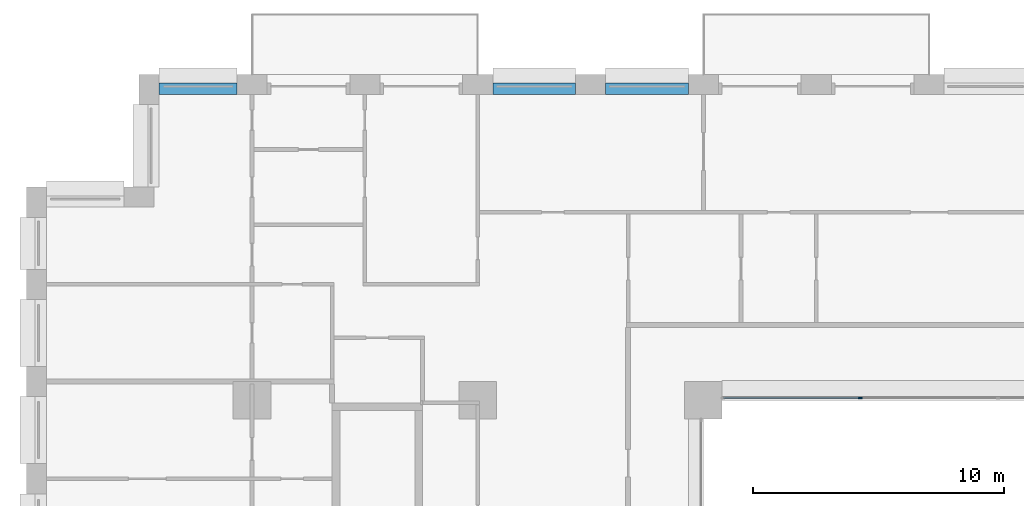
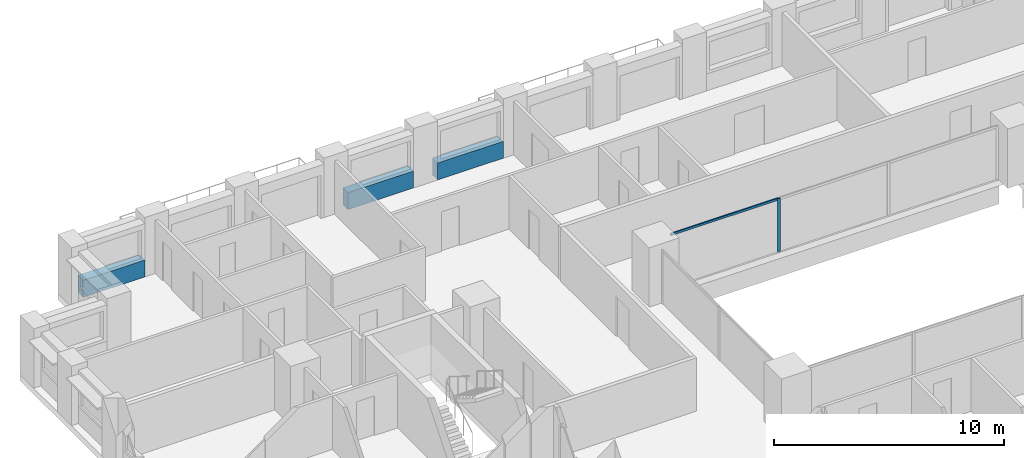
# One storey, part 6 of 20: 3 beams, 2 members, 1 element without a shape of its own.
"""IFC4 building model written with IfcOpenShell, lengths in metres."""

from ifc_helpers import new_model, si_unit, direction, frame, origin, origin_2d, place, context, subcontext, project, spatial, rectangle, extrude, material, layer, layer_set, material_profile, profile_set, type_object, element, aggregate, save


model = new_model("IFC4")

# Units and contexts
model_context = context("Model", 3, precision=1e-05, world=origin(), true_north=direction((0.0, 1.0)))
body_context = subcontext(model_context, "Body", "Model", "MODEL_VIEW")
ifc_project = project(units=[si_unit("LENGTHUNIT", "METRE"), si_unit("AREAUNIT", "SQUARE_METRE"), si_unit("VOLUMEUNIT", "CUBIC_METRE"), si_unit("PLANEANGLEUNIT", "RADIAN"), si_unit("MASSUNIT", "GRAM", prefix="KILO")], contexts=[model_context])

# Site, building, storey
site_placement = place(None, origin())
site = spatial("IfcSite", under=ifc_project, at=site_placement, CompositionType="ELEMENT")
building_placement = place(site_placement, origin())
building = spatial("IfcBuilding", under=site, at=building_placement, Name="Brigalow Station Residences", CompositionType="ELEMENT")
storey_placement = place(building_placement, frame((0.0, 0.0, 60.449951171875)))
storey = spatial("IfcBuildingStorey", under=building, at=storey_placement, Name="L17", CompositionType="ELEMENT", Elevation=60.449951171875)

# Curtain wall, members
ifc_material_1 = material(Name="Aluminium", Category="aluminium")
ifc_layer = layer(ifc_material_1, 0.14990234375)
ifc_layer_set = layer_set([ifc_layer], Name="ATRIUM FIRE-RATED GLAZING CURTAIN WALL")
curtain_wall_type = type_object("IfcCurtainWallType", Name="ATRIUM FIRE-RATED GLAZING CURTAIN WALL", PredefinedType="NOTDEFINED", material=ifc_layer_set)
curtain_wall_placement = place(storey_placement, origin())
curtain_wall = element("IfcCurtainWall", 1, at=curtain_wall_placement, inside=storey, type_object=curtain_wall_type, Name="L17/cw/atrium-N", PredefinedType="NOTDEFINED")
ifc_material_2 = material(Name="Aluminium", Category="aluminium")
ifc_material_profile_1 = material_profile(ifc_material_2, rectangle(XDim=0.06005859375, YDim=0.14990234375, at=origin_2d()), Name="ATRIUM FIRE-RATED GLAZING MULLION 60x150")
ifc_profile_set_1 = profile_set([ifc_material_profile_1], Name="Aluminium")
member_type_1 = type_object("IfcMemberType", Name="ATRIUM FIRE-RATED GLAZING MULLION 60x150", PredefinedType="MULLION", material=ifc_profile_set_1)
member_1_placement = place(storey_placement, frame((33.25, 35.60009765625, 0.0), z_axis=(0.0, 0.0, 1.0), x_axis=(0.0, -1.0, 0.0)))
member_1 = element("IfcMember", 2, at=member_1_placement, type_object=member_type_1, Name="L17/cw/atrium-N/M02", PredefinedType="MULLION", context=body_context, shape_type="SweptSolid", body=[
    extrude(rectangle(XDim=0.06005859375, YDim=0.14990234375, at=origin_2d()), origin(), (0.0, 0.0, 1.0), 2.830078125),
])
ifc_material_3 = material(Name="Aluminium", Category="aluminium")
ifc_material_profile_2 = material_profile(ifc_material_3, rectangle(XDim=0.06005859375, YDim=0.1201171875, at=origin_2d()), Name="ATRIUM FIRE-RATED GLAZING TRANSOM 60x120")
ifc_profile_set_2 = profile_set([ifc_material_profile_2], Name="Aluminium")
member_type_2 = type_object("IfcMemberType", Name="ATRIUM FIRE-RATED GLAZING TRANSOM 60x120", PredefinedType="USERDEFINED", material=ifc_profile_set_2)
member_2_placement = place(storey_placement, frame((33.219970703125, 35.60009765625, 2.800048828125), z_axis=(-1.0, 0.0, 0.0), x_axis=(0.0, -1.0, 0.0)))
member_2 = element("IfcMember", 3, at=member_2_placement, type_object=member_type_2, Name="L17/cw/atrium-N/T02-00", ObjectType="TRANSOM", PredefinedType="USERDEFINED", context=body_context, shape_type="SweptSolid", body=[
    extrude(rectangle(XDim=0.06005859375, YDim=0.1201171875, at=origin_2d()), origin(), (0.0, 0.0, 1.0), 5.409912109375),
])
aggregate(curtain_wall, [member_1, member_2])

# Beams
ifc_material_4 = material(Name="Concrete C65", Category="concrete")
ifc_material_profile_3 = material_profile(ifc_material_4, rectangle(XDim=0.449951171875, YDim=0.89990234375, at=origin_2d()), Name="RC450x900")
ifc_profile_set_3 = profile_set([ifc_material_profile_3], Name="Concrete C65")
beam_type = type_object("IfcBeamType", Name="SPANDREL BEAM 450x900 C65", PredefinedType="SPANDREL", material=ifc_profile_set_3)
for number, where, z_axis, x_axis, name in (
    (4, (26.39990234375, 47.925048828125, 0.449951171875), (-1.0, 0.0, 0.0), (0.0, -1.0, 0.0), "L17/spandrel/W-L17-35"),
    (5, (21.89990234375, 47.925048828125, 0.449951171875), (-1.0, 0.0, 0.0), (0.0, -1.0, 0.0), "L17/spandrel/W-L17-36"),
):
    element("IfcBeam", number, at=place(storey_placement, frame(where, z_axis=z_axis, x_axis=x_axis)), inside=storey, type_object=beam_type, Name=name, PredefinedType="SPANDREL", context=body_context, shape_type="SweptSolid", body=[
        extrude(rectangle(XDim=0.449951171875, YDim=0.89990234375, at=origin_2d()), origin(), (0.0, 0.0, 1.0), 3.2998046875),
    ])
beam_placement = place(storey_placement, frame((8.39990234375, 47.925048828125, 0.449951171875), z_axis=(-1.0, 0.0, 0.0), x_axis=(0.0, -1.0, 0.0)))
element("IfcBeam", 6, at=beam_placement, inside=storey, type_object=beam_type, Name="L17/spandrel/W-L17-39", PredefinedType="SPANDREL", context=body_context, shape_type="SweptSolid", body=[
    extrude(rectangle(XDim=0.449951171875, YDim=0.89990234375, at=origin_2d()), origin(), (0.0, 0.0, 1.0), 3.099853515625),
])

save(model, "model.ifc")
